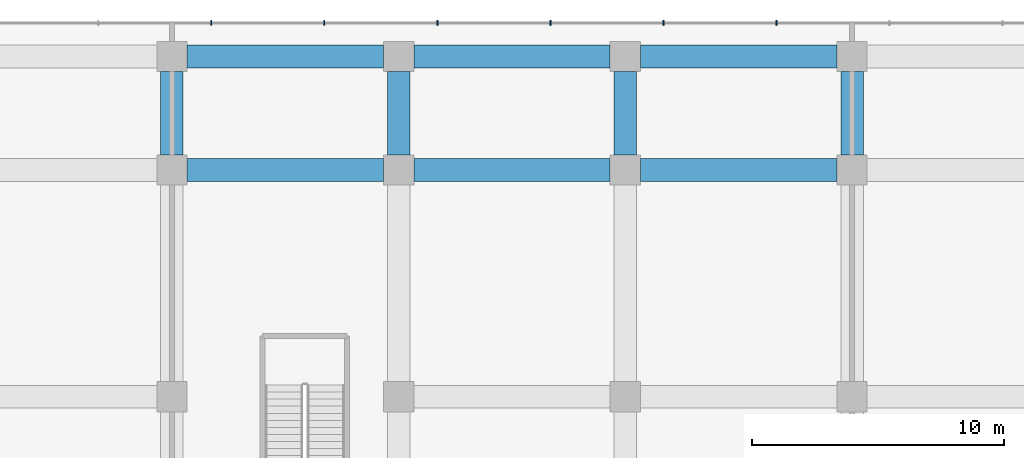
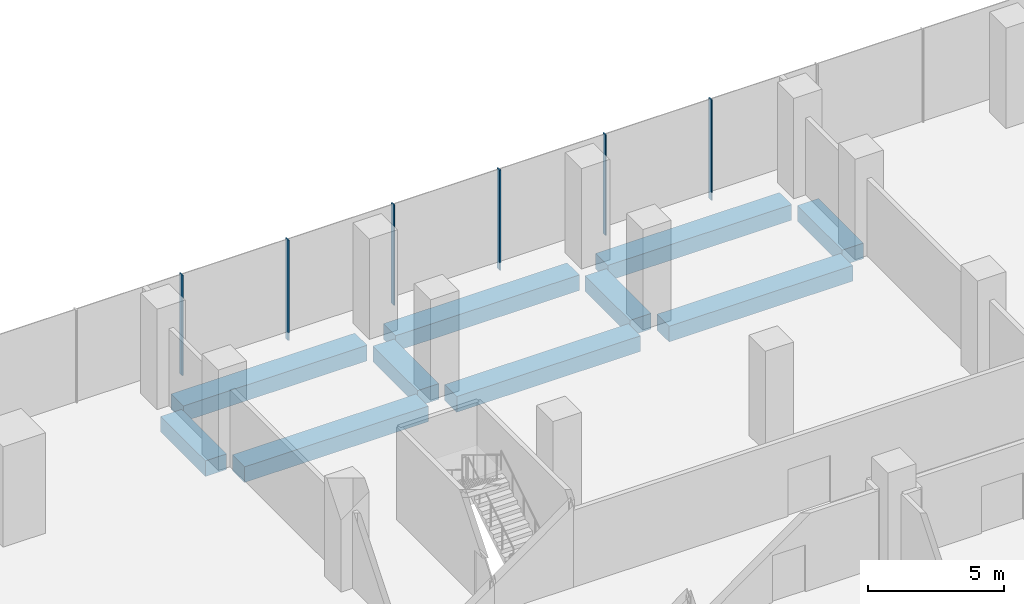
# One storey, part 22 of 43: 10 beams, 6 members, 1 element without a shape of its own.
"""IFC4 building model written with IfcOpenShell, lengths in metres."""

from ifc_helpers import new_model, si_unit, direction, frame, origin, origin_2d, place, context, subcontext, project, spatial, rectangle, extrude, material, layer, layer_set, material_profile, profile_set, type_object, element, aggregate, save


model = new_model("IFC4")

# Units and contexts
model_context = context("Model", 3, precision=1e-05, world=origin(), true_north=direction((0.0, 1.0)))
body_context = subcontext(model_context, "Body", "Model", "MODEL_VIEW")
ifc_project = project(units=[si_unit("LENGTHUNIT", "METRE"), si_unit("AREAUNIT", "SQUARE_METRE"), si_unit("VOLUMEUNIT", "CUBIC_METRE"), si_unit("PLANEANGLEUNIT", "RADIAN"), si_unit("MASSUNIT", "GRAM", prefix="KILO")], contexts=[model_context])

# Site, building, storey
site_placement = place(None, origin())
site = spatial("IfcSite", under=ifc_project, at=site_placement, CompositionType="ELEMENT")
building_placement = place(site_placement, origin())
building = spatial("IfcBuilding", under=site, at=building_placement, Name="Plateau Cross Towers", CompositionType="ELEMENT")
storey_placement = place(building_placement, frame((0.0, 0.0, 12.800048828125)))
storey = spatial("IfcBuildingStorey", under=building, at=storey_placement, Name="L02", CompositionType="ELEMENT", Elevation=12.800048828125)

# Curtain wall, members
ifc_material_1 = material(Name="Dark low-iron laminated glass", Category="glass")
ifc_layer = layer(ifc_material_1, 0.300048828125)
ifc_layer_set = layer_set([ifc_layer], Name="Dark low-iron laminated glass")
curtain_wall_type = type_object("IfcCurtainWallType", Name="Curtain wall structural silicone CW-C", PredefinedType="NOTDEFINED", material=ifc_layer_set)
curtain_wall_placement = place(storey_placement, origin())
curtain_wall = element("IfcCurtainWall", 1, at=curtain_wall_placement, inside=storey, type_object=curtain_wall_type, Name="ENV/P/L02/P1048_598", PredefinedType="NOTDEFINED")
ifc_material_2 = material(Name="Black anodised aluminium", Category="aluminium")
ifc_material_profile_1 = material_profile(ifc_material_2, rectangle(XDim=0.050048828125, YDim=0.199951171875, at=origin_2d()), Name="MULLION 50x200")
ifc_profile_set_1 = profile_set([ifc_material_profile_1], Name="Black anodised aluminium")
member_type = type_object("IfcMemberType", Name="Mullion 50x200 structural silicone", PredefinedType="MULLION", material=ifc_profile_set_1)
member_1_placement = place(storey_placement, frame((51.0, 59.85009765625, -0.35009765625), z_axis=(0.0, 0.0, 1.0), x_axis=(-1.0, 0.0, 0.0)))
member_1 = element("IfcMember", 2, at=member_1_placement, type_object=member_type, Name="CW-C mullion 13", PredefinedType="MULLION", context=body_context, shape_type="SweptSolid", body=[
    extrude(rectangle(XDim=0.050048828125, YDim=0.199951171875, at=origin_2d()), origin(), (0.0, 0.0, 1.0), 4.5),
])
member_2_placement = place(storey_placement, frame((46.512451171875, 59.85009765625, -0.35009765625), z_axis=(0.0, 0.0, 1.0), x_axis=(-1.0, 0.0, 0.0)))
member_2 = element("IfcMember", 3, at=member_2_placement, type_object=member_type, Name="CW-C mullion 14", PredefinedType="MULLION", context=body_context, shape_type="SweptSolid", body=[
    extrude(rectangle(XDim=0.050048828125, YDim=0.199951171875, at=origin_2d()), origin(), (0.0, 0.0, 1.0), 4.5),
])
member_3_placement = place(storey_placement, frame((42.02490234375, 59.85009765625, -0.35009765625), z_axis=(0.0, 0.0, 1.0), x_axis=(-1.0, 0.0, 0.0)))
member_3 = element("IfcMember", 4, at=member_3_placement, type_object=member_type, Name="CW-C mullion 15", PredefinedType="MULLION", context=body_context, shape_type="SweptSolid", body=[
    extrude(rectangle(XDim=0.050048828125, YDim=0.199951171875, at=origin_2d()), origin(), (0.0, 0.0, 1.0), 4.5),
])
member_4_placement = place(storey_placement, frame((37.53759765625, 59.85009765625, -0.35009765625), z_axis=(0.0, 0.0, 1.0), x_axis=(-1.0, 0.0, 0.0)))
member_4 = element("IfcMember", 5, at=member_4_placement, type_object=member_type, Name="CW-C mullion 16", PredefinedType="MULLION", context=body_context, shape_type="SweptSolid", body=[
    extrude(rectangle(XDim=0.050048828125, YDim=0.199951171875, at=origin_2d()), origin(), (0.0, 0.0, 1.0), 4.5),
])
member_5_placement = place(storey_placement, frame((33.050048828125, 59.85009765625, -0.35009765625), z_axis=(0.0, 0.0, 1.0), x_axis=(-1.0, 0.0, 0.0)))
member_5 = element("IfcMember", 6, at=member_5_placement, type_object=member_type, Name="CW-C mullion 17", PredefinedType="MULLION", context=body_context, shape_type="SweptSolid", body=[
    extrude(rectangle(XDim=0.050048828125, YDim=0.199951171875, at=origin_2d()), origin(), (0.0, 0.0, 1.0), 4.5),
])
member_6_placement = place(storey_placement, frame((28.5625, 59.85009765625, -0.35009765625), z_axis=(0.0, 0.0, 1.0), x_axis=(-1.0, 0.0, 0.0)))
member_6 = element("IfcMember", 7, at=member_6_placement, type_object=member_type, Name="CW-C mullion 18", PredefinedType="MULLION", context=body_context, shape_type="SweptSolid", body=[
    extrude(rectangle(XDim=0.050048828125, YDim=0.199951171875, at=origin_2d()), origin(), (0.0, 0.0, 1.0), 4.5),
])
aggregate(curtain_wall, [member_1, member_2, member_3, member_4, member_5, member_6])

# Beams
ifc_material_3 = material(Name="Concrete C50/60", Category="concrete")
ifc_material_profile_2 = material_profile(ifc_material_3, rectangle(XDim=0.89990234375, YDim=0.699951171875, at=origin_2d()), Name="RC 900x700")
ifc_profile_set_2 = profile_set([ifc_material_profile_2], Name="Concrete C50/60")
beam_type = type_object("IfcBeamType", Name="Podium band beam RC 900x700", PredefinedType="BEAM", material=ifc_profile_set_2)
for number, where, z_axis, x_axis, name in (
    (8, (27.60009765625, 54.0, -0.699951171875), (1.0, 0.0, 0.0), (0.0, 1.0, 0.0), "PB71@L02"),
    (9, (36.60009765625, 54.0, -0.699951171875), (1.0, 0.0, 0.0), (0.0, 1.0, 0.0), "PB72@L02"),
    (10, (45.60009765625, 54.0, -0.699951171875), (1.0, 0.0, 0.0), (0.0, 1.0, 0.0), "PB73@L02"),
    (11, (27.60009765625, 58.5, -0.699951171875), (1.0, 0.0, 0.0), (0.0, 1.0, 0.0), "PB84@L02"),
    (12, (36.60009765625, 58.5, -0.699951171875), (1.0, 0.0, 0.0), (0.0, 1.0, 0.0), "PB85@L02"),
    (13, (45.60009765625, 58.5, -0.699951171875), (1.0, 0.0, 0.0), (0.0, 1.0, 0.0), "PB86@L02"),
):
    element("IfcBeam", number, at=place(storey_placement, frame(where, z_axis=z_axis, x_axis=x_axis)), inside=storey, type_object=beam_type, Name=name, PredefinedType="BEAM", context=body_context, shape_type="SweptSolid", body=[
        extrude(rectangle(XDim=0.89990234375, YDim=0.699951171875, at=origin_2d()), origin(), (0.0, 0.0, 1.0), 7.7998046875),
    ])
for number, where, z_axis, x_axis, name in (
    (14, (27.0, 54.60009765625, -0.699951171875), (0.0, 1.0, 0.0), (-1.0, 0.0, 0.0), "PB122@L02"),
    (15, (36.0, 54.60009765625, -0.699951171875), (0.0, 1.0, 0.0), (-1.0, 0.0, 0.0), "PB131@L02"),
    (16, (45.0, 54.60009765625, -0.699951171875), (0.0, 1.0, 0.0), (-1.0, 0.0, 0.0), "PB138@L02"),
    (17, (54.0, 54.60009765625, -0.699951171875), (0.0, 1.0, 0.0), (-1.0, 0.0, 0.0), "PB147@L02"),
):
    element("IfcBeam", number, at=place(storey_placement, frame(where, z_axis=z_axis, x_axis=x_axis)), inside=storey, type_object=beam_type, Name=name, PredefinedType="BEAM", context=body_context, shape_type="SweptSolid", body=[
        extrude(rectangle(XDim=0.89990234375, YDim=0.699951171875, at=origin_2d()), origin(), (0.0, 0.0, 1.0), 3.2998046875),
    ])

save(model, "model.ifc")
